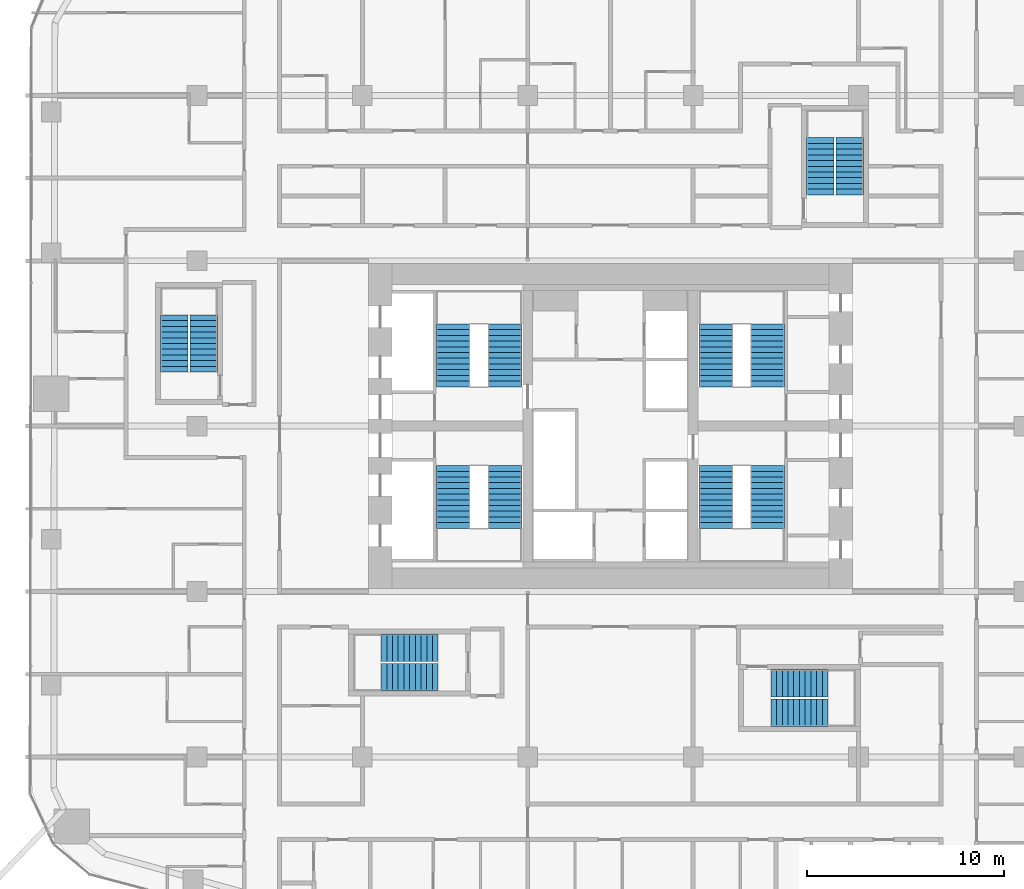
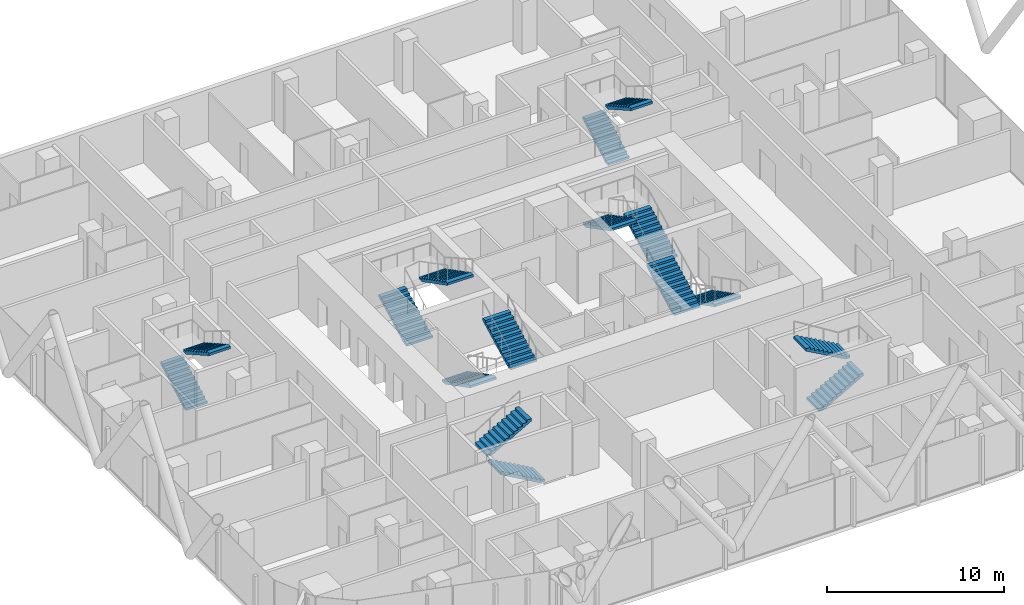
# One storey, part 32 of 34: 16 stair flights, 8 elements without a shape of their own.
"""IFC4 building model written with IfcOpenShell, lengths in metres."""

from ifc_helpers import new_model, si_unit, direction, frame, origin, place, context, subcontext, project, spatial, polyline, outline, extrude, material, type_object, element, aggregate, save


model = new_model("IFC4")

# Units and contexts
model_context = context("Model", 3, precision=1e-05, world=origin(), true_north=direction((0.0, 1.0)))
body_context = subcontext(model_context, "Body", "Model", "MODEL_VIEW")
ifc_project = project(units=[si_unit("LENGTHUNIT", "METRE"), si_unit("AREAUNIT", "SQUARE_METRE"), si_unit("VOLUMEUNIT", "CUBIC_METRE"), si_unit("PLANEANGLEUNIT", "RADIAN"), si_unit("MASSUNIT", "GRAM", prefix="KILO")], contexts=[model_context])

# Site, building, storey
site_placement = place(None, origin())
site = spatial("IfcSite", under=ifc_project, at=site_placement, CompositionType="ELEMENT")
building_placement = place(site_placement, origin())
building = spatial("IfcBuilding", under=site, at=building_placement, Name="Marenta Gate Hotel Tower", CompositionType="ELEMENT")
storey_placement = place(building_placement, frame((0.0, 0.0, 76.10009765625)))
storey = spatial("IfcBuildingStorey", under=building, at=storey_placement, Name="L17", CompositionType="ELEMENT", Elevation=76.10009765625)

# Stair, stair flights
ifc_material_1 = material(Name="Concrete C40", Category="concrete")
stair_type_1 = type_object("IfcStairType", Name="Core exit stair 1700 wide", PredefinedType="HALF_TURN_STAIR", material=ifc_material_1)
stair_1_placement = place(storey_placement, origin())
stair_1 = element("IfcStair", 1, at=stair_1_placement, inside=storey, type_object=stair_type_1, Name="Exit stair 1", PredefinedType="HALF_TURN_STAIR")
ifc_material_2 = material(Name="Concrete C40", Category="concrete")
stair_flight_type_1 = type_object("IfcStairFlightType", Name="Core stair flight 1700 riser 150.0 going 290", PredefinedType="STRAIGHT", material=ifc_material_2)
stair_flight_1_placement = place(storey_placement, frame((-8.0, 6.39990234375, 0.0), z_axis=(0.0, 0.0, 1.0), x_axis=(0.0, -1.0, 0.0)))
stair_flight_1 = element("IfcStairFlight", 2, at=stair_flight_1_placement, type_object=stair_flight_type_1, Name="ST1 flight 1", NumberOfRisers=12, NumberOfTreads=11, PredefinedType="STRAIGHT", RiserHeight=0.15, TreadLength=0.29, context=body_context, shape_type="SweptSolid", body=[
    extrude(outline(polyline([(0.0, 0.0), (0.0, 0.14990234375), (0.2900390625, 0.14990234375), (0.2900390625, 0.300048828125), (0.580078125, 0.300048828125), (0.580078125, 0.449951171875), (0.8701171875, 0.449951171875), (0.8701171875, 0.60009765625), (1.159912109375, 0.60009765625), (1.159912109375, 0.75), (1.449951171875, 0.75), (1.449951171875, 0.89990234375), (1.739990234375, 0.89990234375), (1.739990234375, 1.050048828125), (2.030029296875, 1.050048828125), (2.030029296875, 1.199951171875), (2.320068359375, 1.199951171875), (2.320068359375, 1.35009765625), (2.610107421875, 1.35009765625), (2.610107421875, 1.5), (2.89990234375, 1.5), (2.89990234375, 1.64990234375), (3.18994140625, 1.64990234375), (3.18994140625, 1.800048828125), (3.18994140625, 1.481201171875), (0.326171875, 0.0), (0.0, 0.0)])), frame((0.0, 0.85009765625, 0.0), z_axis=(0.0, -1.0, 0.0), x_axis=(1.0, 0.0, 0.0)), (0.0, 0.0, 1.0), 1.699951171875),
])
stair_flight_2_placement = place(storey_placement, frame((-5.35009765625, 3.2099609375, 1.7998046875), z_axis=(0.0, 0.0, 1.0), x_axis=(0.0, 1.0, 0.0)))
stair_flight_2 = element("IfcStairFlight", 3, at=stair_flight_2_placement, type_object=stair_flight_type_1, Name="ST1 flight 2", NumberOfRisers=12, NumberOfTreads=11, PredefinedType="STRAIGHT", RiserHeight=0.15, TreadLength=0.29, context=body_context, shape_type="SweptSolid", body=[
    extrude(outline(polyline([(0.0, 0.0), (0.0, 0.14990234375), (0.2900390625, 0.14990234375), (0.2900390625, 0.300048828125), (0.580078125, 0.300048828125), (0.580078125, 0.449951171875), (0.8701171875, 0.449951171875), (0.8701171875, 0.60009765625), (1.159912109375, 0.60009765625), (1.159912109375, 0.75), (1.449951171875, 0.75), (1.449951171875, 0.89990234375), (1.739990234375, 0.89990234375), (1.739990234375, 1.050048828125), (2.030029296875, 1.050048828125), (2.030029296875, 1.199951171875), (2.320068359375, 1.199951171875), (2.320068359375, 1.35009765625), (2.610107421875, 1.35009765625), (2.610107421875, 1.5), (2.89990234375, 1.5), (2.89990234375, 1.64990234375), (3.18994140625, 1.64990234375), (3.18994140625, 1.800048828125), (3.18994140625, 1.481201171875), (0.326171875, 0.0), (0.0, 0.0)])), frame((0.0, 0.85009765625, 0.0), z_axis=(0.0, -1.0, 0.0), x_axis=(1.0, 0.0, 0.0)), (0.0, 0.0, 1.0), 1.699951171875),
])
aggregate(stair_1, [stair_flight_1, stair_flight_2])

stair_2_placement = place(storey_placement, origin())
stair_2 = element("IfcStair", 4, at=stair_2_placement, inside=storey, type_object=stair_type_1, Name="Exit stair 2", PredefinedType="HALF_TURN_STAIR")
stair_flight_3_placement = place(storey_placement, frame((-8.0, 10.39990234375, 0.0), z_axis=(0.0, 0.0, 1.0), x_axis=(0.0, 1.0, 0.0)))
stair_flight_3 = element("IfcStairFlight", 5, at=stair_flight_3_placement, type_object=stair_flight_type_1, Name="ST2 flight 1", NumberOfRisers=12, NumberOfTreads=11, PredefinedType="STRAIGHT", RiserHeight=0.15, TreadLength=0.29, context=body_context, shape_type="SweptSolid", body=[
    extrude(outline(polyline([(0.0, 0.0), (0.0, 0.14990234375), (0.2900390625, 0.14990234375), (0.2900390625, 0.300048828125), (0.580078125, 0.300048828125), (0.580078125, 0.449951171875), (0.8701171875, 0.449951171875), (0.8701171875, 0.60009765625), (1.159912109375, 0.60009765625), (1.159912109375, 0.75), (1.449951171875, 0.75), (1.449951171875, 0.89990234375), (1.739990234375, 0.89990234375), (1.739990234375, 1.050048828125), (2.030029296875, 1.050048828125), (2.030029296875, 1.199951171875), (2.320068359375, 1.199951171875), (2.320068359375, 1.35009765625), (2.610107421875, 1.35009765625), (2.610107421875, 1.5), (2.89990234375, 1.5), (2.89990234375, 1.64990234375), (3.18994140625, 1.64990234375), (3.18994140625, 1.800048828125), (3.18994140625, 1.481201171875), (0.326171875, 0.0), (0.0, 0.0)])), frame((0.0, 0.85009765625, 0.0), z_axis=(0.0, -1.0, 0.0), x_axis=(1.0, 0.0, 0.0)), (0.0, 0.0, 1.0), 1.699951171875),
])
stair_flight_4_placement = place(storey_placement, frame((-5.35009765625, 13.590087890625, 1.7998046875), z_axis=(0.0, 0.0, 1.0), x_axis=(0.0, -1.0, 0.0)))
stair_flight_4 = element("IfcStairFlight", 6, at=stair_flight_4_placement, type_object=stair_flight_type_1, Name="ST2 flight 2", NumberOfRisers=12, NumberOfTreads=11, PredefinedType="STRAIGHT", RiserHeight=0.15, TreadLength=0.29, context=body_context, shape_type="SweptSolid", body=[
    extrude(outline(polyline([(0.0, 0.0), (0.0, 0.14990234375), (0.2900390625, 0.14990234375), (0.2900390625, 0.300048828125), (0.580078125, 0.300048828125), (0.580078125, 0.449951171875), (0.8701171875, 0.449951171875), (0.8701171875, 0.60009765625), (1.159912109375, 0.60009765625), (1.159912109375, 0.75), (1.449951171875, 0.75), (1.449951171875, 0.89990234375), (1.739990234375, 0.89990234375), (1.739990234375, 1.050048828125), (2.030029296875, 1.050048828125), (2.030029296875, 1.199951171875), (2.320068359375, 1.199951171875), (2.320068359375, 1.35009765625), (2.610107421875, 1.35009765625), (2.610107421875, 1.5), (2.89990234375, 1.5), (2.89990234375, 1.64990234375), (3.18994140625, 1.64990234375), (3.18994140625, 1.800048828125), (3.18994140625, 1.481201171875), (0.326171875, 0.0), (0.0, 0.0)])), frame((0.0, 0.85009765625, 0.0), z_axis=(0.0, -1.0, 0.0), x_axis=(1.0, 0.0, 0.0)), (0.0, 0.0, 1.0), 1.699951171875),
])
aggregate(stair_2, [stair_flight_3, stair_flight_4])

stair_3_placement = place(storey_placement, origin())
stair_3 = element("IfcStair", 7, at=stair_3_placement, inside=storey, type_object=stair_type_1, Name="Exit stair 3", PredefinedType="HALF_TURN_STAIR")
stair_flight_5_placement = place(storey_placement, frame((8.0, 6.39990234375, 0.0), z_axis=(0.0, 0.0, 1.0), x_axis=(0.0, -1.0, 0.0)))
stair_flight_5 = element("IfcStairFlight", 8, at=stair_flight_5_placement, type_object=stair_flight_type_1, Name="ST3 flight 1", NumberOfRisers=12, NumberOfTreads=11, PredefinedType="STRAIGHT", RiserHeight=0.15, TreadLength=0.29, context=body_context, shape_type="SweptSolid", body=[
    extrude(outline(polyline([(0.0, 0.0), (0.0, 0.14990234375), (0.2900390625, 0.14990234375), (0.2900390625, 0.300048828125), (0.580078125, 0.300048828125), (0.580078125, 0.449951171875), (0.8701171875, 0.449951171875), (0.8701171875, 0.60009765625), (1.159912109375, 0.60009765625), (1.159912109375, 0.75), (1.449951171875, 0.75), (1.449951171875, 0.89990234375), (1.739990234375, 0.89990234375), (1.739990234375, 1.050048828125), (2.030029296875, 1.050048828125), (2.030029296875, 1.199951171875), (2.320068359375, 1.199951171875), (2.320068359375, 1.35009765625), (2.610107421875, 1.35009765625), (2.610107421875, 1.5), (2.89990234375, 1.5), (2.89990234375, 1.64990234375), (3.18994140625, 1.64990234375), (3.18994140625, 1.800048828125), (3.18994140625, 1.481201171875), (0.326171875, 0.0), (0.0, 0.0)])), frame((0.0, 0.85009765625, 0.0), z_axis=(0.0, -1.0, 0.0), x_axis=(1.0, 0.0, 0.0)), (0.0, 0.0, 1.0), 1.699951171875),
])
stair_flight_6_placement = place(storey_placement, frame((5.35009765625, 3.2099609375, 1.7998046875), z_axis=(0.0, 0.0, 1.0), x_axis=(0.0, 1.0, 0.0)))
stair_flight_6 = element("IfcStairFlight", 9, at=stair_flight_6_placement, type_object=stair_flight_type_1, Name="ST3 flight 2", NumberOfRisers=12, NumberOfTreads=11, PredefinedType="STRAIGHT", RiserHeight=0.15, TreadLength=0.29, context=body_context, shape_type="SweptSolid", body=[
    extrude(outline(polyline([(0.0, 0.0), (0.0, 0.14990234375), (0.2900390625, 0.14990234375), (0.2900390625, 0.300048828125), (0.580078125, 0.300048828125), (0.580078125, 0.449951171875), (0.8701171875, 0.449951171875), (0.8701171875, 0.60009765625), (1.159912109375, 0.60009765625), (1.159912109375, 0.75), (1.449951171875, 0.75), (1.449951171875, 0.89990234375), (1.739990234375, 0.89990234375), (1.739990234375, 1.050048828125), (2.030029296875, 1.050048828125), (2.030029296875, 1.199951171875), (2.320068359375, 1.199951171875), (2.320068359375, 1.35009765625), (2.610107421875, 1.35009765625), (2.610107421875, 1.5), (2.89990234375, 1.5), (2.89990234375, 1.64990234375), (3.18994140625, 1.64990234375), (3.18994140625, 1.800048828125), (3.18994140625, 1.481201171875), (0.326171875, 0.0), (0.0, 0.0)])), frame((0.0, 0.85009765625, 0.0), z_axis=(0.0, -1.0, 0.0), x_axis=(1.0, 0.0, 0.0)), (0.0, 0.0, 1.0), 1.699951171875),
])
aggregate(stair_3, [stair_flight_5, stair_flight_6])

stair_4_placement = place(storey_placement, origin())
stair_4 = element("IfcStair", 10, at=stair_4_placement, inside=storey, type_object=stair_type_1, Name="Exit stair 4", PredefinedType="HALF_TURN_STAIR")
stair_flight_7_placement = place(storey_placement, frame((8.0, 10.39990234375, 0.0), z_axis=(0.0, 0.0, 1.0), x_axis=(0.0, 1.0, 0.0)))
stair_flight_7 = element("IfcStairFlight", 11, at=stair_flight_7_placement, type_object=stair_flight_type_1, Name="ST4 flight 1", NumberOfRisers=12, NumberOfTreads=11, PredefinedType="STRAIGHT", RiserHeight=0.15, TreadLength=0.29, context=body_context, shape_type="SweptSolid", body=[
    extrude(outline(polyline([(0.0, 0.0), (0.0, 0.14990234375), (0.2900390625, 0.14990234375), (0.2900390625, 0.300048828125), (0.580078125, 0.300048828125), (0.580078125, 0.449951171875), (0.8701171875, 0.449951171875), (0.8701171875, 0.60009765625), (1.159912109375, 0.60009765625), (1.159912109375, 0.75), (1.449951171875, 0.75), (1.449951171875, 0.89990234375), (1.739990234375, 0.89990234375), (1.739990234375, 1.050048828125), (2.030029296875, 1.050048828125), (2.030029296875, 1.199951171875), (2.320068359375, 1.199951171875), (2.320068359375, 1.35009765625), (2.610107421875, 1.35009765625), (2.610107421875, 1.5), (2.89990234375, 1.5), (2.89990234375, 1.64990234375), (3.18994140625, 1.64990234375), (3.18994140625, 1.800048828125), (3.18994140625, 1.481201171875), (0.326171875, 0.0), (0.0, 0.0)])), frame((0.0, 0.85009765625, 0.0), z_axis=(0.0, -1.0, 0.0), x_axis=(1.0, 0.0, 0.0)), (0.0, 0.0, 1.0), 1.699951171875),
])
stair_flight_8_placement = place(storey_placement, frame((5.35009765625, 13.590087890625, 1.7998046875), z_axis=(0.0, 0.0, 1.0), x_axis=(0.0, -1.0, 0.0)))
stair_flight_8 = element("IfcStairFlight", 12, at=stair_flight_8_placement, type_object=stair_flight_type_1, Name="ST4 flight 2", NumberOfRisers=12, NumberOfTreads=11, PredefinedType="STRAIGHT", RiserHeight=0.15, TreadLength=0.29, context=body_context, shape_type="SweptSolid", body=[
    extrude(outline(polyline([(0.0, 0.0), (0.0, 0.14990234375), (0.2900390625, 0.14990234375), (0.2900390625, 0.300048828125), (0.580078125, 0.300048828125), (0.580078125, 0.449951171875), (0.8701171875, 0.449951171875), (0.8701171875, 0.60009765625), (1.159912109375, 0.60009765625), (1.159912109375, 0.75), (1.449951171875, 0.75), (1.449951171875, 0.89990234375), (1.739990234375, 0.89990234375), (1.739990234375, 1.050048828125), (2.030029296875, 1.050048828125), (2.030029296875, 1.199951171875), (2.320068359375, 1.199951171875), (2.320068359375, 1.35009765625), (2.610107421875, 1.35009765625), (2.610107421875, 1.5), (2.89990234375, 1.5), (2.89990234375, 1.64990234375), (3.18994140625, 1.64990234375), (3.18994140625, 1.800048828125), (3.18994140625, 1.481201171875), (0.326171875, 0.0), (0.0, 0.0)])), frame((0.0, 0.85009765625, 0.0), z_axis=(0.0, -1.0, 0.0), x_axis=(1.0, 0.0, 0.0)), (0.0, 0.0, 1.0), 1.699951171875),
])
aggregate(stair_4, [stair_flight_7, stair_flight_8])

ifc_material_3 = material(Name="Concrete C40", Category="concrete")
stair_type_2 = type_object("IfcStairType", Name="Remote exit stair 1400 wide", PredefinedType="HALF_TURN_STAIR", material=ifc_material_3)
stair_5_placement = place(storey_placement, origin())
stair_5 = element("IfcStair", 13, at=stair_5_placement, inside=storey, type_object=stair_type_2, Name="Exit stair RS-Z1-1", PredefinedType="HALF_TURN_STAIR")
ifc_material_4 = material(Name="Concrete C40", Category="concrete")
stair_flight_type_2 = type_object("IfcStairFlightType", Name="Remote stair flight 1400 riser 163.6 going 290", PredefinedType="STRAIGHT", material=ifc_material_4)
stair_flight_9_placement = place(storey_placement, frame((8.14990234375, -6.14990234375, 0.0), z_axis=(0.0, 0.0, 1.0), x_axis=(1.0, 0.0, 0.0)))
stair_flight_9 = element("IfcStairFlight", 14, at=stair_flight_9_placement, type_object=stair_flight_type_2, Name="RS-Z1-1 flight 1", NumberOfRisers=11, NumberOfTreads=10, PredefinedType="STRAIGHT", RiserHeight=0.163636, TreadLength=0.29, context=body_context, shape_type="SweptSolid", body=[
    extrude(outline(polyline([(0.0, 0.0), (0.0, 0.16357421875), (0.2900390625, 0.16357421875), (0.2900390625, 0.327392578125), (0.580078125, 0.327392578125), (0.580078125, 0.490966796875), (0.8701171875, 0.490966796875), (0.8701171875, 0.654541015625), (1.159912109375, 0.654541015625), (1.159912109375, 0.818115234375), (1.449951171875, 0.818115234375), (1.449951171875, 0.98193359375), (1.739990234375, 0.98193359375), (1.739990234375, 1.1455078125), (2.030029296875, 1.1455078125), (2.030029296875, 1.30908203125), (2.320068359375, 1.30908203125), (2.320068359375, 1.47265625), (2.610107421875, 1.47265625), (2.610107421875, 1.636474609375), (2.89990234375, 1.636474609375), (2.89990234375, 1.800048828125), (2.89990234375, 1.46435546875), (0.304931640625, 0.0), (0.0, 0.0)])), frame((0.0, 0.699951171875, 0.0), z_axis=(0.0, -1.0, 0.0), x_axis=(1.0, 0.0, 0.0)), (0.0, 0.0, 1.0), 1.39990234375),
])
stair_flight_10_placement = place(storey_placement, frame((11.050048828125, -4.64990234375, 1.7998046875), z_axis=(0.0, 0.0, 1.0), x_axis=(-1.0, 0.0, 0.0)))
stair_flight_10 = element("IfcStairFlight", 15, at=stair_flight_10_placement, type_object=stair_flight_type_2, Name="RS-Z1-1 flight 2", NumberOfRisers=11, NumberOfTreads=10, PredefinedType="STRAIGHT", RiserHeight=0.163636, TreadLength=0.29, context=body_context, shape_type="SweptSolid", body=[
    extrude(outline(polyline([(0.0, 0.0), (0.0, 0.16357421875), (0.2900390625, 0.16357421875), (0.2900390625, 0.327392578125), (0.580078125, 0.327392578125), (0.580078125, 0.490966796875), (0.8701171875, 0.490966796875), (0.8701171875, 0.654541015625), (1.159912109375, 0.654541015625), (1.159912109375, 0.818115234375), (1.449951171875, 0.818115234375), (1.449951171875, 0.98193359375), (1.739990234375, 0.98193359375), (1.739990234375, 1.1455078125), (2.030029296875, 1.1455078125), (2.030029296875, 1.30908203125), (2.320068359375, 1.30908203125), (2.320068359375, 1.47265625), (2.610107421875, 1.47265625), (2.610107421875, 1.636474609375), (2.89990234375, 1.636474609375), (2.89990234375, 1.800048828125), (2.89990234375, 1.46435546875), (0.304931640625, 0.0), (0.0, 0.0)])), frame((0.0, 0.699951171875, 0.0), z_axis=(0.0, -1.0, 0.0), x_axis=(1.0, 0.0, 0.0)), (0.0, 0.0, 1.0), 1.39990234375),
])
aggregate(stair_5, [stair_flight_9, stair_flight_10])

stair_6_placement = place(storey_placement, origin())
stair_6 = element("IfcStair", 16, at=stair_6_placement, inside=storey, type_object=stair_type_2, Name="Exit stair RS-Z1-2", PredefinedType="HALF_TURN_STAIR")
stair_flight_11_placement = place(storey_placement, frame((-8.75, -4.35009765625, 0.0), z_axis=(0.0, 0.0, 1.0), x_axis=(-1.0, 0.0, 0.0)))
stair_flight_11 = element("IfcStairFlight", 17, at=stair_flight_11_placement, type_object=stair_flight_type_2, Name="RS-Z1-2 flight 1", NumberOfRisers=11, NumberOfTreads=10, PredefinedType="STRAIGHT", RiserHeight=0.163636, TreadLength=0.29, context=body_context, shape_type="SweptSolid", body=[
    extrude(outline(polyline([(0.0, 0.0), (0.0, 0.16357421875), (0.2900390625, 0.16357421875), (0.2900390625, 0.327392578125), (0.580078125, 0.327392578125), (0.580078125, 0.490966796875), (0.8701171875, 0.490966796875), (0.8701171875, 0.654541015625), (1.159912109375, 0.654541015625), (1.159912109375, 0.818115234375), (1.449951171875, 0.818115234375), (1.449951171875, 0.98193359375), (1.739990234375, 0.98193359375), (1.739990234375, 1.1455078125), (2.030029296875, 1.1455078125), (2.030029296875, 1.30908203125), (2.320068359375, 1.30908203125), (2.320068359375, 1.47265625), (2.610107421875, 1.47265625), (2.610107421875, 1.636474609375), (2.89990234375, 1.636474609375), (2.89990234375, 1.800048828125), (2.89990234375, 1.46435546875), (0.304931640625, 0.0), (0.0, 0.0)])), frame((0.0, 0.699951171875, 0.0), z_axis=(0.0, -1.0, 0.0), x_axis=(1.0, 0.0, 0.0)), (0.0, 0.0, 1.0), 1.39990234375),
])
stair_flight_12_placement = place(storey_placement, frame((-11.64990234375, -2.85009765625, 1.7998046875), z_axis=(0.0, 0.0, 1.0), x_axis=(1.0, 0.0, 0.0)))
stair_flight_12 = element("IfcStairFlight", 18, at=stair_flight_12_placement, type_object=stair_flight_type_2, Name="RS-Z1-2 flight 2", NumberOfRisers=11, NumberOfTreads=10, PredefinedType="STRAIGHT", RiserHeight=0.163636, TreadLength=0.29, context=body_context, shape_type="SweptSolid", body=[
    extrude(outline(polyline([(0.0, 0.0), (0.0, 0.16357421875), (0.2900390625, 0.16357421875), (0.2900390625, 0.327392578125), (0.580078125, 0.327392578125), (0.580078125, 0.490966796875), (0.8701171875, 0.490966796875), (0.8701171875, 0.654541015625), (1.159912109375, 0.654541015625), (1.159912109375, 0.818115234375), (1.449951171875, 0.818115234375), (1.449951171875, 0.98193359375), (1.739990234375, 0.98193359375), (1.739990234375, 1.1455078125), (2.030029296875, 1.1455078125), (2.030029296875, 1.30908203125), (2.320068359375, 1.30908203125), (2.320068359375, 1.47265625), (2.610107421875, 1.47265625), (2.610107421875, 1.636474609375), (2.89990234375, 1.636474609375), (2.89990234375, 1.800048828125), (2.89990234375, 1.46435546875), (0.304931640625, 0.0), (0.0, 0.0)])), frame((0.0, 0.699951171875, 0.0), z_axis=(0.0, -1.0, 0.0), x_axis=(1.0, 0.0, 0.0)), (0.0, 0.0, 1.0), 1.39990234375),
])
aggregate(stair_6, [stair_flight_11, stair_flight_12])

stair_7_placement = place(storey_placement, origin())
stair_7 = element("IfcStair", 19, at=stair_7_placement, inside=storey, type_object=stair_type_2, Name="Exit stair RS-Z1-3", PredefinedType="HALF_TURN_STAIR")
stair_flight_13_placement = place(storey_placement, frame((-22.14990234375, 11.14990234375, 0.0), z_axis=(0.0, 0.0, 1.0), x_axis=(0.0, 1.0, 0.0)))
stair_flight_13 = element("IfcStairFlight", 20, at=stair_flight_13_placement, type_object=stair_flight_type_2, Name="RS-Z1-3 flight 1", NumberOfRisers=11, NumberOfTreads=10, PredefinedType="STRAIGHT", RiserHeight=0.163636, TreadLength=0.29, context=body_context, shape_type="SweptSolid", body=[
    extrude(outline(polyline([(0.0, 0.0), (0.0, 0.16357421875), (0.2900390625, 0.16357421875), (0.2900390625, 0.327392578125), (0.580078125, 0.327392578125), (0.580078125, 0.490966796875), (0.8701171875, 0.490966796875), (0.8701171875, 0.654541015625), (1.159912109375, 0.654541015625), (1.159912109375, 0.818115234375), (1.449951171875, 0.818115234375), (1.449951171875, 0.98193359375), (1.739990234375, 0.98193359375), (1.739990234375, 1.1455078125), (2.030029296875, 1.1455078125), (2.030029296875, 1.30908203125), (2.320068359375, 1.30908203125), (2.320068359375, 1.47265625), (2.610107421875, 1.47265625), (2.610107421875, 1.636474609375), (2.89990234375, 1.636474609375), (2.89990234375, 1.800048828125), (2.89990234375, 1.46435546875), (0.304931640625, 0.0), (0.0, 0.0)])), frame((0.0, 0.699951171875, 0.0), z_axis=(0.0, -1.0, 0.0), x_axis=(1.0, 0.0, 0.0)), (0.0, 0.0, 1.0), 1.39990234375),
])
stair_flight_14_placement = place(storey_placement, frame((-20.64990234375, 14.050048828125, 1.7998046875), z_axis=(0.0, 0.0, 1.0), x_axis=(0.0, -1.0, 0.0)))
stair_flight_14 = element("IfcStairFlight", 21, at=stair_flight_14_placement, type_object=stair_flight_type_2, Name="RS-Z1-3 flight 2", NumberOfRisers=11, NumberOfTreads=10, PredefinedType="STRAIGHT", RiserHeight=0.163636, TreadLength=0.29, context=body_context, shape_type="SweptSolid", body=[
    extrude(outline(polyline([(0.0, 0.0), (0.0, 0.16357421875), (0.2900390625, 0.16357421875), (0.2900390625, 0.327392578125), (0.580078125, 0.327392578125), (0.580078125, 0.490966796875), (0.8701171875, 0.490966796875), (0.8701171875, 0.654541015625), (1.159912109375, 0.654541015625), (1.159912109375, 0.818115234375), (1.449951171875, 0.818115234375), (1.449951171875, 0.98193359375), (1.739990234375, 0.98193359375), (1.739990234375, 1.1455078125), (2.030029296875, 1.1455078125), (2.030029296875, 1.30908203125), (2.320068359375, 1.30908203125), (2.320068359375, 1.47265625), (2.610107421875, 1.47265625), (2.610107421875, 1.636474609375), (2.89990234375, 1.636474609375), (2.89990234375, 1.800048828125), (2.89990234375, 1.46435546875), (0.304931640625, 0.0), (0.0, 0.0)])), frame((0.0, 0.699951171875, 0.0), z_axis=(0.0, -1.0, 0.0), x_axis=(1.0, 0.0, 0.0)), (0.0, 0.0, 1.0), 1.39990234375),
])
aggregate(stair_7, [stair_flight_13, stair_flight_14])

stair_8_placement = place(storey_placement, origin())
stair_8 = element("IfcStair", 22, at=stair_8_placement, inside=storey, type_object=stair_type_2, Name="Exit stair RS-Z1-4", PredefinedType="HALF_TURN_STAIR")
stair_flight_15_placement = place(storey_placement, frame((10.64990234375, 20.14990234375, 0.0), z_axis=(0.0, 0.0, 1.0), x_axis=(0.0, 1.0, 0.0)))
stair_flight_15 = element("IfcStairFlight", 23, at=stair_flight_15_placement, type_object=stair_flight_type_2, Name="RS-Z1-4 flight 1", NumberOfRisers=11, NumberOfTreads=10, PredefinedType="STRAIGHT", RiserHeight=0.163636, TreadLength=0.29, context=body_context, shape_type="SweptSolid", body=[
    extrude(outline(polyline([(0.0, 0.0), (0.0, 0.16357421875), (0.2900390625, 0.16357421875), (0.2900390625, 0.327392578125), (0.580078125, 0.327392578125), (0.580078125, 0.490966796875), (0.8701171875, 0.490966796875), (0.8701171875, 0.654541015625), (1.159912109375, 0.654541015625), (1.159912109375, 0.818115234375), (1.449951171875, 0.818115234375), (1.449951171875, 0.98193359375), (1.739990234375, 0.98193359375), (1.739990234375, 1.1455078125), (2.030029296875, 1.1455078125), (2.030029296875, 1.30908203125), (2.320068359375, 1.30908203125), (2.320068359375, 1.47265625), (2.610107421875, 1.47265625), (2.610107421875, 1.636474609375), (2.89990234375, 1.636474609375), (2.89990234375, 1.800048828125), (2.89990234375, 1.46435546875), (0.304931640625, 0.0), (0.0, 0.0)])), frame((0.0, 0.699951171875, 0.0), z_axis=(0.0, -1.0, 0.0), x_axis=(1.0, 0.0, 0.0)), (0.0, 0.0, 1.0), 1.39990234375),
])
stair_flight_16_placement = place(storey_placement, frame((12.14990234375, 23.050048828125, 1.7998046875), z_axis=(0.0, 0.0, 1.0), x_axis=(0.0, -1.0, 0.0)))
stair_flight_16 = element("IfcStairFlight", 24, at=stair_flight_16_placement, type_object=stair_flight_type_2, Name="RS-Z1-4 flight 2", NumberOfRisers=11, NumberOfTreads=10, PredefinedType="STRAIGHT", RiserHeight=0.163636, TreadLength=0.29, context=body_context, shape_type="SweptSolid", body=[
    extrude(outline(polyline([(0.0, 0.0), (0.0, 0.16357421875), (0.2900390625, 0.16357421875), (0.2900390625, 0.327392578125), (0.580078125, 0.327392578125), (0.580078125, 0.490966796875), (0.8701171875, 0.490966796875), (0.8701171875, 0.654541015625), (1.159912109375, 0.654541015625), (1.159912109375, 0.818115234375), (1.449951171875, 0.818115234375), (1.449951171875, 0.98193359375), (1.739990234375, 0.98193359375), (1.739990234375, 1.1455078125), (2.030029296875, 1.1455078125), (2.030029296875, 1.30908203125), (2.320068359375, 1.30908203125), (2.320068359375, 1.47265625), (2.610107421875, 1.47265625), (2.610107421875, 1.636474609375), (2.89990234375, 1.636474609375), (2.89990234375, 1.800048828125), (2.89990234375, 1.46435546875), (0.304931640625, 0.0), (0.0, 0.0)])), frame((0.0, 0.699951171875, 0.0), z_axis=(0.0, -1.0, 0.0), x_axis=(1.0, 0.0, 0.0)), (0.0, 0.0, 1.0), 1.39990234375),
])
aggregate(stair_8, [stair_flight_15, stair_flight_16])

save(model, "model.ifc")
